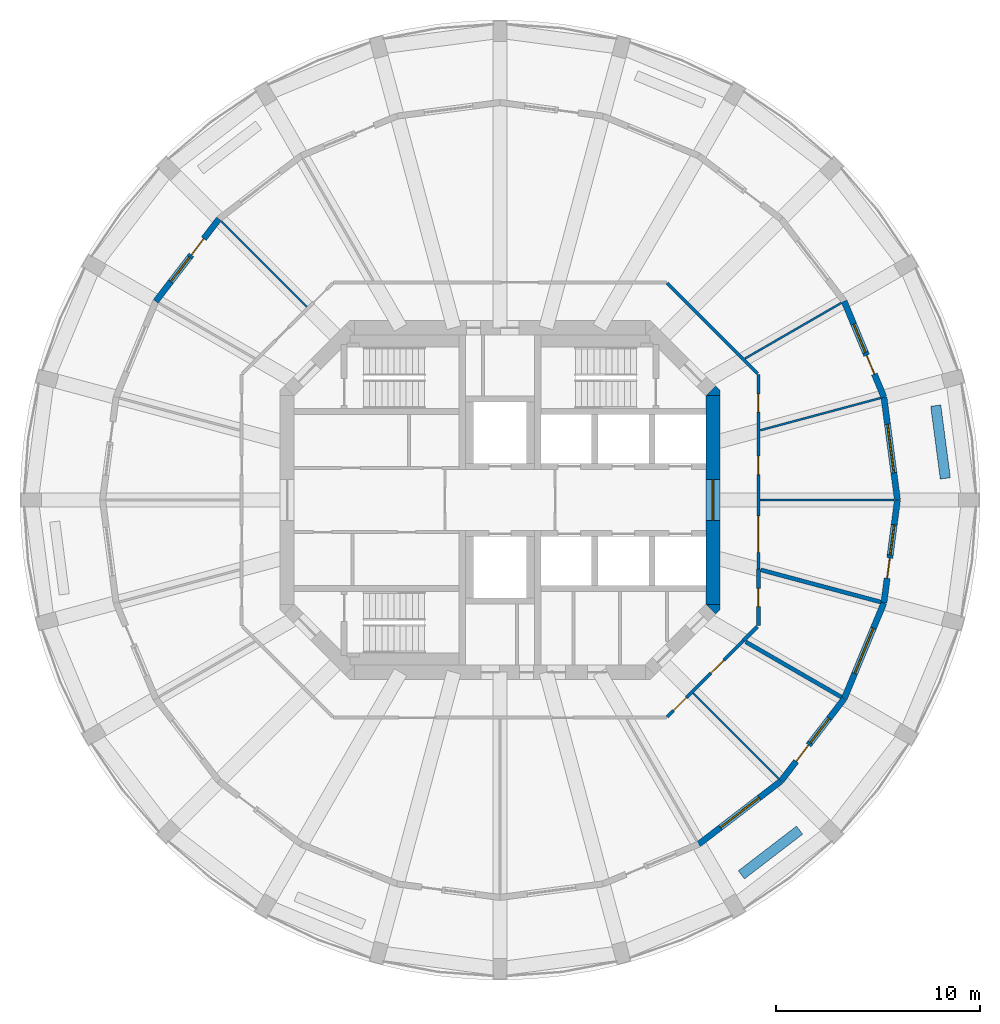
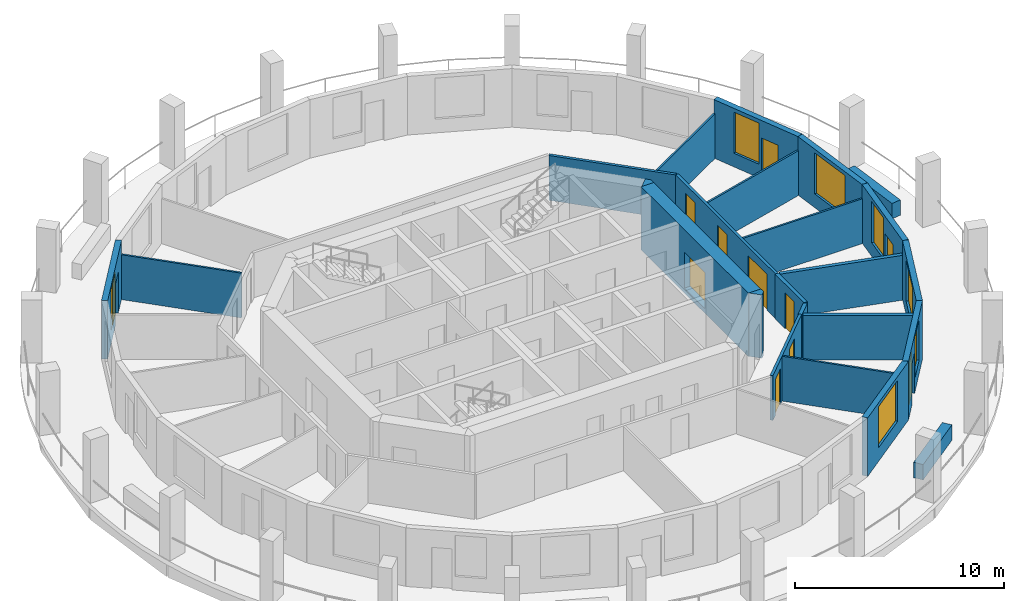
# One storey, part 5 of 8: 24 walls, 11 doors, 7 windows, 18 openings.
"""IFC4 building model written with IfcOpenShell, lengths in metres."""

from ifc_helpers import new_model, si_unit, direction, frame, frame_2d, origin, place, context, subcontext, project, spatial, polyline, rectangle, outline, extrude, material, layer, layer_set, type_object, element, fill, save


model = new_model("IFC4")

# Units and contexts
model_context = context("Model", 3, precision=1e-05, world=origin(), true_north=direction((0.0, 1.0)))
body_context = subcontext(model_context, "Body", "Model", "MODEL_VIEW")
ifc_project = project(units=[si_unit("LENGTHUNIT", "METRE"), si_unit("AREAUNIT", "SQUARE_METRE"), si_unit("VOLUMEUNIT", "CUBIC_METRE"), si_unit("PLANEANGLEUNIT", "RADIAN"), si_unit("MASSUNIT", "GRAM", prefix="KILO")], contexts=[model_context])

# Site, building, storey
site_placement = place(None, origin())
site = spatial("IfcSite", under=ifc_project, at=site_placement, CompositionType="ELEMENT")
building_placement = place(site_placement, origin())
building = spatial("IfcBuilding", under=site, at=building_placement, Name="Torre Triforio", CompositionType="ELEMENT")
storey_placement = place(building_placement, frame((0.0, 0.0, 200.199951171875)))
storey = spatial("IfcBuildingStorey", under=building, at=storey_placement, Name="L45", CompositionType="ELEMENT", Elevation=200.199951171875)

# Wall, opening, door
ifc_material_1 = material(Name="Concrete C50", Category="concrete")
ifc_layer_1 = layer(ifc_material_1, 0.699951171875)
ifc_layer_set_1 = layer_set([ifc_layer_1], Name="Concrete C50")
wall_type_1 = type_object("IfcWallType", Name="Core wall 700 mm C50 EI 120", PredefinedType="SHEAR", material=ifc_layer_set_1)
wall_1_placement = place(storey_placement, frame((10.449951171875, -5.1298828125, -0.280029296875), z_axis=(0.0, 0.0, 1.0), x_axis=(0.0, 1.0, 0.0)))
wall_1 = element("IfcWall", 1, at=wall_1_placement, inside=storey, type_object=wall_type_1, Name="Core wall", PredefinedType="SHEAR", context=body_context, shape_type="SweptSolid", body=[
    extrude(rectangle(XDim=10.259765625, YDim=0.699951171875, at=frame_2d((5.1298828125, 0.0))), origin(), (0.0, 0.0, 1.0), 3.7001953125),
])
opening_1_placement = place(wall_1_placement, frame((4.1298828125, 0.0, 0.280029296875)))
opening_1 = element("IfcOpeningElement", 2, at=opening_1_placement, cuts=wall_1, Name="Opening E-RING", PredefinedType="OPENING", context=body_context, shape_type="SweptSolid", body=[
    extrude(rectangle(XDim=2.0, YDim=2.10009765625, at=frame_2d((1.0, 1.050048828125))), frame((0.0, 0.35986328125, 0.0), z_axis=(0.0, -1.0, 0.0), x_axis=(1.0, 0.0, 0.0)), (0.0, 0.0, 1.0), 0.719970703125),
])
ifc_material_2 = material(Name="Hollow metal fire door leaf")
door_type_1 = type_object("IfcDoorType", Name="Lobby door 2000 x 2100 EI 60", OperationType="DOUBLE_DOOR_SINGLE_SWING", PredefinedType="DOOR", material=ifc_material_2)
door_1_placement = place(opening_1_placement, origin())
door_1 = element("IfcDoor", 3, at=door_1_placement, inside=storey, type_object=door_type_1, Name="Core door E-RING", OperationType="DOUBLE_DOOR_SINGLE_SWING", OverallHeight=2.10009765625, OverallWidth=2.0, PredefinedType="DOOR", context=body_context, shape_type="SweptSolid", body=[
    extrude(rectangle(XDim=2.0, YDim=2.10009765625, at=frame_2d((1.0, 1.050048828125))), frame((0.0, 0.02490234375, 0.0), z_axis=(0.0, -1.0, 0.0), x_axis=(1.0, 0.0, 0.0)), (0.0, 0.0, 1.0), 0.050048828125),
])
fill(opening_1, door_1)

# Walls
wall_2_placement = place(storey_placement, frame((0.0, 0.0, -0.280029296875)))
element("IfcWall", 4, at=wall_2_placement, inside=storey, type_object=wall_type_1, Name="Core wall", PredefinedType="SHEAR", context=body_context, shape_type="SweptSolid", body=[
    extrude(outline(polyline([(10.800048828125, -5.389892578125), (10.594970703125, -5.594970703125), (10.594970703125, -5.594970703125), (10.594970703125, -5.594970703125), (10.1298828125, -5.1298828125), (10.800048828125, -5.1298828125), (10.800048828125, -5.1298828125), (10.800048828125, -5.389892578125)])), origin(), (0.0, 0.0, 1.0), 3.7001953125),
])
wall_3_placement = place(storey_placement, frame((0.0, 0.0, -0.280029296875)))
element("IfcWall", 5, at=wall_3_placement, inside=storey, type_object=wall_type_1, Name="Core wall", PredefinedType="SHEAR", context=body_context, shape_type="SweptSolid", body=[
    extrude(outline(polyline([(10.800048828125, 5.389892578125), (10.800048828125, 5.1298828125), (10.800048828125, 5.1298828125), (10.1298828125, 5.1298828125), (10.594970703125, 5.594970703125), (10.594970703125, 5.594970703125), (10.594970703125, 5.594970703125), (10.800048828125, 5.389892578125)])), origin(), (0.0, 0.0, 1.0), 3.7001953125),
])

# Wall, openings, doors
ifc_material_3 = material(Name="Plasterboard on metal studs")
ifc_layer_2 = layer(ifc_material_3, 0.14990234375)
ifc_layer_set_2 = layer_set([ifc_layer_2], Name="Plasterboard on metal studs")
wall_type_2 = type_object("IfcWallType", Name="Corridor and tenancy wall 150 mm EI 60", PredefinedType="PARTITIONING", material=ifc_layer_set_2)
wall_4_placement = place(storey_placement, frame((11.945068359375, -6.896484375, 0.0), z_axis=(0.0, 0.0, 1.0), x_axis=(-0.707106781187, -0.707106781187, 0.0)))
wall_4 = element("IfcWall", 6, at=wall_4_placement, inside=storey, type_object=wall_type_2, Name="Partition 2", PredefinedType="PARTITIONING", context=body_context, shape_type="SweptSolid", body=[
    extrude(rectangle(XDim=5.291259765625, YDim=0.14990234375, at=frame_2d((2.6455078125, 0.0))), origin(), (0.0, 0.0, 1.0), 2.6201171875),
])
opening_2_placement = place(wall_4_placement, frame((3.95556640625, 0.0, 0.0)))
opening_2 = element("IfcOpeningElement", 7, at=opening_2_placement, cuts=wall_4, Name="Opening O4-10", PredefinedType="OPENING", context=body_context, shape_type="SweptSolid", body=[
    extrude(rectangle(XDim=0.89990234375, YDim=2.10009765625, at=frame_2d((0.449951171875, 1.050048828125))), frame((0.0, 0.0849609375, 0.0), z_axis=(0.0, -1.0, 0.0), x_axis=(1.0, 0.0, 0.0)), (0.0, 0.0, 1.0), 0.169921875),
])
opening_3_placement = place(wall_4_placement, frame((1.35986328125, 0.0, 0.0)))
opening_3 = element("IfcOpeningElement", 8, at=opening_3_placement, cuts=wall_4, Name="Opening O4-11", PredefinedType="OPENING", context=body_context, shape_type="SweptSolid", body=[
    extrude(rectangle(XDim=0.89990234375, YDim=2.10009765625, at=frame_2d((0.449951171875, 1.050048828125))), frame((0.0, 0.0849609375, 0.0), z_axis=(0.0, -1.0, 0.0), x_axis=(1.0, 0.0, 0.0)), (0.0, 0.0, 1.0), 0.169921875),
])
ifc_material_4 = material(Name="Timber", Category="wood")
door_type_2 = type_object("IfcDoorType", Name="Door 900 x 2100 single leaf EI 30", OperationType="NOTDEFINED", PredefinedType="DOOR", material=ifc_material_4)
door_2_placement = place(opening_2_placement, origin())
door_2 = element("IfcDoor", 9, at=door_2_placement, inside=storey, type_object=door_type_2, Name="Door O4-10", OperationType="SINGLE_SWING_LEFT", OverallHeight=2.10009765625, OverallWidth=0.89990234375, PredefinedType="DOOR", context=body_context, shape_type="SweptSolid", body=[
    extrude(rectangle(XDim=0.89990234375, YDim=2.10009765625, at=frame_2d((0.449951171875, 1.050048828125))), frame((0.0, 0.02490234375, 0.0), z_axis=(0.0, -1.0, 0.0), x_axis=(1.0, 0.0, 0.0)), (0.0, 0.0, 1.0), 0.050048828125),
])
fill(opening_2, door_2)
door_3_placement = place(opening_3_placement, origin())
door_3 = element("IfcDoor", 10, at=door_3_placement, inside=storey, type_object=door_type_2, Name="Door O4-11", OperationType="SINGLE_SWING_LEFT", OverallHeight=2.10009765625, OverallWidth=0.89990234375, PredefinedType="DOOR", context=body_context, shape_type="SweptSolid", body=[
    extrude(rectangle(XDim=0.89990234375, YDim=2.10009765625, at=frame_2d((0.449951171875, 1.050048828125))), frame((0.0, 0.02490234375, 0.0), z_axis=(0.0, -1.0, 0.0), x_axis=(1.0, 0.0, 0.0)), (0.0, 0.0, 1.0), 0.050048828125),
])
fill(opening_3, door_3)

# Wall
wall_5_placement = place(storey_placement, frame((8.20361328125, 10.637939453125, 0.0), z_axis=(0.0, 0.0, 1.0), x_axis=(0.707106781187, -0.707106781187, 0.0)))
element("IfcWall", 11, at=wall_5_placement, inside=storey, type_object=wall_type_2, Name="Partition 8", PredefinedType="PARTITIONING", context=body_context, shape_type="SweptSolid", body=[
    extrude(rectangle(XDim=6.27099609375, YDim=0.14990234375, at=frame_2d((3.135498046875, 0.0))), origin(), (0.0, 0.0, 1.0), 2.6201171875),
])

# Wall, openings, doors
wall_6_placement = place(storey_placement, frame((12.675048828125, 6.16650390625, 0.0), z_axis=(0.0, 0.0, 1.0), x_axis=(0.0, -1.0, 0.0)))
wall_6 = element("IfcWall", 12, at=wall_6_placement, inside=storey, type_object=wall_type_2, Name="Partition 9", PredefinedType="PARTITIONING", context=body_context, shape_type="SweptSolid", body=[
    extrude(rectangle(XDim=9.562744140625, YDim=0.14990234375, at=frame_2d((4.78125, 0.0))), origin(), (0.0, 0.0, 1.0), 2.6201171875),
])
opening_4_placement = place(wall_6_placement, frame((6.939697265625, 0.0, 0.0)))
opening_4 = element("IfcOpeningElement", 13, at=opening_4_placement, cuts=wall_6, Name="Opening O4-13", PredefinedType="OPENING", context=body_context, shape_type="SweptSolid", body=[
    extrude(rectangle(XDim=1.800048828125, YDim=2.10009765625, at=frame_2d((0.89990234375, 1.050048828125))), frame((0.0, 0.0849609375, 0.0), z_axis=(0.0, -1.0, 0.0), x_axis=(1.0, 0.0, 0.0)), (0.0, 0.0, 1.0), 0.169921875),
])
opening_5_placement = place(wall_6_placement, frame((4.017578125, 0.0, 0.0)))
opening_5 = element("IfcOpeningElement", 14, at=opening_5_placement, cuts=wall_6, Name="Opening O4-14", PredefinedType="OPENING", context=body_context, shape_type="SweptSolid", body=[
    extrude(rectangle(XDim=0.89990234375, YDim=2.10009765625, at=frame_2d((0.449951171875, 1.050048828125))), frame((0.0, 0.0849609375, 0.0), z_axis=(0.0, -1.0, 0.0), x_axis=(1.0, 0.0, 0.0)), (0.0, 0.0, 1.0), 0.169921875),
])
opening_6_placement = place(wall_6_placement, frame((0.960205078125, 0.0, 0.0)))
opening_6 = element("IfcOpeningElement", 15, at=opening_6_placement, cuts=wall_6, Name="Opening O4-15", PredefinedType="OPENING", context=body_context, shape_type="SweptSolid", body=[
    extrude(rectangle(XDim=0.89990234375, YDim=2.10009765625, at=frame_2d((0.449951171875, 1.050048828125))), frame((0.0, 0.0849609375, 0.0), z_axis=(0.0, -1.0, 0.0), x_axis=(1.0, 0.0, 0.0)), (0.0, 0.0, 1.0), 0.169921875),
])
door_type_3 = type_object("IfcDoorType", Name="Door 1800 x 2100 double leaf EI 30", OperationType="DOUBLE_DOOR_SINGLE_SWING", PredefinedType="DOOR", material=ifc_material_4)
door_4_placement = place(opening_4_placement, origin())
door_4 = element("IfcDoor", 16, at=door_4_placement, inside=storey, type_object=door_type_3, Name="Door O4-13", OperationType="DOUBLE_DOOR_SINGLE_SWING", OverallHeight=2.10009765625, OverallWidth=1.800048828125, PredefinedType="DOOR", context=body_context, shape_type="SweptSolid", body=[
    extrude(rectangle(XDim=1.800048828125, YDim=2.10009765625, at=frame_2d((0.89990234375, 1.050048828125))), frame((0.0, 0.02490234375, 0.0), z_axis=(0.0, -1.0, 0.0), x_axis=(1.0, 0.0, 0.0)), (0.0, 0.0, 1.0), 0.050048828125),
])
fill(opening_4, door_4)
door_5_placement = place(opening_5_placement, origin())
door_5 = element("IfcDoor", 17, at=door_5_placement, inside=storey, type_object=door_type_2, Name="Door O4-14", OperationType="SINGLE_SWING_LEFT", OverallHeight=2.10009765625, OverallWidth=0.89990234375, PredefinedType="DOOR", context=body_context, shape_type="SweptSolid", body=[
    extrude(rectangle(XDim=0.89990234375, YDim=2.10009765625, at=frame_2d((0.449951171875, 1.050048828125))), frame((0.0, 0.02490234375, 0.0), z_axis=(0.0, -1.0, 0.0), x_axis=(1.0, 0.0, 0.0)), (0.0, 0.0, 1.0), 0.050048828125),
])
fill(opening_5, door_5)
door_6_placement = place(opening_6_placement, origin())
door_6 = element("IfcDoor", 18, at=door_6_placement, inside=storey, type_object=door_type_2, Name="Door O4-15", OperationType="SINGLE_SWING_LEFT", OverallHeight=2.10009765625, OverallWidth=0.89990234375, PredefinedType="DOOR", context=body_context, shape_type="SweptSolid", body=[
    extrude(rectangle(XDim=0.89990234375, YDim=2.10009765625, at=frame_2d((0.449951171875, 1.050048828125))), frame((0.0, 0.02490234375, 0.0), z_axis=(0.0, -1.0, 0.0), x_axis=(1.0, 0.0, 0.0)), (0.0, 0.0, 1.0), 0.050048828125),
])
fill(opening_6, door_6)

# Walls
ifc_layer_3 = layer(ifc_material_3, 0.10009765625)
ifc_layer_set_3 = layer_set([ifc_layer_3], Name="Plasterboard on metal studs")
wall_type_3 = type_object("IfcWallType", Name="Partition 100 mm board on metal studs", PredefinedType="PARTITIONING", material=ifc_layer_set_3)
wall_7_placement = place(storey_placement, frame((12.75, 0.0, 0.0), z_axis=(0.0, 0.0, 1.0), x_axis=(1.0, 0.0, 0.0)))
element("IfcWall", 19, at=wall_7_placement, inside=storey, type_object=wall_type_3, Name="Partition 11", PredefinedType="PARTITIONING", context=body_context, shape_type="SweptSolid", body=[
    extrude(rectangle(XDim=6.586669921875, YDim=0.10009765625, at=frame_2d((3.29345703125, 0.0))), origin(), (0.0, 0.0, 1.0), 2.6201171875),
])
wall_8_placement = place(storey_placement, frame((12.764404296875, 3.420166015625, 0.0), z_axis=(0.0, 0.0, 1.0), x_axis=(0.965925800266, 0.258819142221, 0.0)))
element("IfcWall", 20, at=wall_8_placement, inside=storey, type_object=wall_type_3, Name="Partition 12", PredefinedType="PARTITIONING", context=body_context, shape_type="SweptSolid", body=[
    extrude(rectangle(XDim=6.121826171875, YDim=0.10009765625, at=frame_2d((3.06103515625, 0.0))), origin(), (0.0, 0.0, 1.0), 2.6201171875),
])
wall_9_placement = place(storey_placement, frame((12.025146484375, 6.94287109375, 0.0), z_axis=(0.0, 0.0, 1.0), x_axis=(0.866029712004, 0.499992537871, 0.0)))
element("IfcWall", 21, at=wall_9_placement, inside=storey, type_object=wall_type_3, Name="Partition 13", PredefinedType="PARTITIONING", context=body_context, shape_type="SweptSolid", body=[
    extrude(rectangle(XDim=5.451171875, YDim=0.10009765625, at=frame_2d((2.7255859375, 0.0))), origin(), (0.0, 0.0, 1.0), 2.6201171875),
])
for number, where, z_axis, x_axis, name in (
    (22, (-9.473876953125, 9.473876953125, 0.0), (0.0, 0.0, 1.0), (-0.707106781187, 0.707106781187, 0.0), "Partition 15"),
    (23, (9.473876953125, -9.473876953125, 0.0), (0.0, 0.0, 1.0), (0.707106781187, -0.707106781187, 0.0), "Partition 23"),
):
    element("IfcWall", number, at=place(storey_placement, frame(where, z_axis=z_axis, x_axis=x_axis)), inside=storey, type_object=wall_type_3, Name=name, PredefinedType="PARTITIONING", context=body_context, shape_type="SweptSolid", body=[
        extrude(rectangle(XDim=5.9384765625, YDim=0.10009765625, at=frame_2d((2.96923828125, 0.0))), origin(), (0.0, 0.0, 1.0), 2.6201171875),
    ])
ifc_material_5 = material(Name="Masonry block", Category="masonry")
ifc_layer_4 = layer(ifc_material_5, 0.199951171875)
ifc_layer_set_4 = layer_set([ifc_layer_4], Name="Masonry block")
wall_type_4 = type_object("IfcWallType", Name="Plant room wall 200 mm block EI 120", PredefinedType="PARTITIONING", material=ifc_layer_set_4)
wall_10_placement = place(storey_placement, frame((12.62548828125, -6.216064453125, 0.0), z_axis=(0.0, 0.0, 1.0), x_axis=(-0.707106781187, -0.707106781187, 0.0)))
element("IfcWall", 24, at=wall_10_placement, inside=storey, type_object=wall_type_4, Name="Partition 1", PredefinedType="PARTITIONING", context=body_context, shape_type="SweptSolid", body=[
    extrude(rectangle(XDim=0.962158203125, YDim=0.199951171875, at=frame_2d((0.48095703125, 0.0))), origin(), (0.0, 0.0, 1.0), 2.6201171875),
])

# Wall, opening, door
wall_11_placement = place(storey_placement, frame((12.675048828125, -3.396240234375, 0.0), z_axis=(0.0, 0.0, 1.0), x_axis=(0.0, -1.0, 0.0)))
wall_11 = element("IfcWall", 25, at=wall_11_placement, inside=storey, type_object=wall_type_4, Name="Partition 10", PredefinedType="PARTITIONING", context=body_context, shape_type="SweptSolid", body=[
    extrude(rectangle(XDim=2.770263671875, YDim=0.199951171875, at=frame_2d((1.38525390625, 0.0))), origin(), (0.0, 0.0, 1.0), 2.6201171875),
])
opening_7_placement = place(wall_11_placement, frame((0.935302734375, 0.0, 0.0)))
opening_7 = element("IfcOpeningElement", 26, at=opening_7_placement, cuts=wall_11, Name="Opening O4-12", PredefinedType="OPENING", context=body_context, shape_type="SweptSolid", body=[
    extrude(rectangle(XDim=0.89990234375, YDim=2.10009765625, at=frame_2d((0.449951171875, 1.050048828125))), frame((0.0, 0.10986328125, 0.0), z_axis=(0.0, -1.0, 0.0), x_axis=(1.0, 0.0, 0.0)), (0.0, 0.0, 1.0), 0.219970703125),
])
door_type_4 = type_object("IfcDoorType", Name="Door 900 x 2100 single leaf EI 60", OperationType="NOTDEFINED", PredefinedType="DOOR", material=ifc_material_2)
door_7_placement = place(opening_7_placement, origin())
door_7 = element("IfcDoor", 27, at=door_7_placement, inside=storey, type_object=door_type_4, Name="Door O4-12", OperationType="SINGLE_SWING_LEFT", OverallHeight=2.10009765625, OverallWidth=0.89990234375, PredefinedType="DOOR", context=body_context, shape_type="SweptSolid", body=[
    extrude(rectangle(XDim=0.89990234375, YDim=2.10009765625, at=frame_2d((0.449951171875, 1.050048828125))), frame((0.0, 0.02490234375, 0.0), z_axis=(0.0, -1.0, 0.0), x_axis=(1.0, 0.0, 0.0)), (0.0, 0.0, 1.0), 0.050048828125),
])
fill(opening_7, door_7)

# Walls
wall_12_placement = place(storey_placement, frame((12.0576171875, -6.96142578125, 0.0), z_axis=(0.0, 0.0, 1.0), x_axis=(0.86601436245, -0.500019123664, 0.0)))
element("IfcWall", 28, at=wall_12_placement, inside=storey, type_object=wall_type_4, Name="Partition 24", PredefinedType="PARTITIONING", context=body_context, shape_type="SweptSolid", body=[
    extrude(rectangle(XDim=5.413818359375, YDim=0.199951171875, at=frame_2d((2.70703125, 0.0))), origin(), (0.0, 0.0, 1.0), 2.6201171875),
])
wall_13_placement = place(storey_placement, frame((12.800537109375, -3.429931640625, 0.0), z_axis=(0.0, 0.0, 1.0), x_axis=(0.965929245953, -0.258806282407, 0.0)))
element("IfcWall", 29, at=wall_13_placement, inside=storey, type_object=wall_type_4, Name="Partition 25", PredefinedType="PARTITIONING", context=body_context, shape_type="SweptSolid", body=[
    extrude(rectangle(XDim=6.08447265625, YDim=0.199951171875, at=frame_2d((3.042236328125, 0.0))), origin(), (0.0, 0.0, 1.0), 2.6201171875),
])
ifc_material_6 = material(Name="Limestone cladding", Category="masonry")
ifc_layer_5 = layer(ifc_material_6, 0.10009765625)
ifc_material_7 = material(Name="Concrete C40", Category="concrete")
ifc_layer_6 = layer(ifc_material_7, 0.39990234375)
ifc_layer_set_5 = layer_set([ifc_layer_5, ifc_layer_6], Name="Limestone cladding / Concrete C40")
wall_type_5 = type_object("IfcWallType", Name="Planter wall 500", PredefinedType="PARAPET", material=ifc_layer_set_5)
wall_14_placement = place(storey_placement, frame((21.848388671875, 1.060791015625, 0.0), z_axis=(0.0, 0.0, 1.0), x_axis=(-0.130475563272, 0.991451525486, 0.0)))
element("IfcWall", 30, at=wall_14_placement, inside=storey, type_object=wall_type_5, Name="Planter L45 bay 01", PredefinedType="PARAPET", context=body_context, shape_type="SweptSolid", body=[
    extrude(rectangle(XDim=3.60009765625, YDim=0.5, at=frame_2d((1.800048828125, 0.0))), origin(), (0.0, 0.0, 1.0), 0.900146484375),
])
wall_15_placement = place(storey_placement, frame((11.843017578125, -18.390869140625, 0.0), z_axis=(0.0, 0.0, 1.0), x_axis=(0.793326845617, 0.608795955984, 0.0)))
element("IfcWall", 31, at=wall_15_placement, inside=storey, type_object=wall_type_5, Name="Planter L45 bay 21", PredefinedType="PARAPET", context=body_context, shape_type="SweptSolid", body=[
    extrude(rectangle(XDim=3.599853515625, YDim=0.5, at=frame_2d((1.7998046875, 0.0))), origin(), (0.0, 0.0, 1.0), 0.900146484375),
])

# Wall, opening, window
ifc_layer_7 = layer(ifc_material_6, 0.10009765625)
ifc_layer_8 = layer(ifc_material_7, 0.199951171875)
ifc_layer_set_6 = layer_set([ifc_layer_7, ifc_layer_8], Name="Limestone cladding / Concrete C40")
wall_type_6 = type_object("IfcWallType", Name="Stone-faced composite wall 300", PredefinedType="STANDARD", material=ifc_layer_set_6)
wall_16_placement = place(storey_placement, frame((19.5, 0.0, 0.0), z_axis=(0.0, 0.0, 1.0), x_axis=(-0.130495451964, 0.99144890792, 0.0)))
wall_16 = element("IfcWall", 32, at=wall_16_placement, inside=storey, type_object=wall_type_6, Name="External wall L45 bay 01", PredefinedType="STANDARD", context=body_context, shape_type="SweptSolid", body=[
    extrude(rectangle(XDim=5.090576171875, YDim=0.300048828125, at=frame_2d((2.54541015625, 0.0))), origin(), (0.0, 0.0, 1.0), 3.420166015625),
])
opening_8_placement = place(wall_16_placement, frame((1.34521484375, 0.0, 0.800048828125)))
opening_8 = element("IfcOpeningElement", 33, at=opening_8_placement, cuts=wall_16, Name="Opening O4-W01", PredefinedType="OPENING", context=body_context, shape_type="SweptSolid", body=[
    extrude(rectangle(XDim=2.39990234375, YDim=2.39990234375, at=frame_2d((1.199951171875, 1.199951171875))), frame((0.0, 0.159912109375, 0.0), z_axis=(0.0, -1.0, 0.0), x_axis=(1.0, 0.0, 0.0)), (0.0, 0.0, 1.0), 0.320068359375),
])
ifc_material_8 = material(Name="Aluminium frame with clear double glazing", Category="aluminium")
window_type_1 = type_object("IfcWindowType", Name="Punched window 2400 x 2400", PartitioningType="DOUBLE_PANEL_VERTICAL", PredefinedType="WINDOW", material=ifc_material_8)
window_1_placement = place(opening_8_placement, origin())
window_1 = element("IfcWindow", 34, at=window_1_placement, inside=storey, type_object=window_type_1, Name="Window EWN4 L45 bay 01", OverallHeight=2.39990234375, OverallWidth=2.39990234375, PartitioningType="SINGLE_PANEL", PredefinedType="WINDOW", context=body_context, shape_type="SweptSolid", body=[
    extrude(rectangle(XDim=2.39990234375, YDim=2.39990234375, at=frame_2d((1.199951171875, 1.199951171875))), frame((0.0, 0.030029296875, 0.0), z_axis=(0.0, -1.0, 0.0), x_axis=(1.0, 0.0, 0.0)), (0.0, 0.0, 1.0), 0.06005859375),
])
fill(opening_8, window_1)

# Wall, openings, door, window
wall_17_placement = place(storey_placement, frame((18.835693359375, 5.047119140625, 0.0), z_axis=(0.0, 0.0, 1.0), x_axis=(-0.382724538613, 0.923862504675, 0.0)))
wall_17 = element("IfcWall", 35, at=wall_17_placement, inside=storey, type_object=wall_type_6, Name="External wall L45 bay 02", PredefinedType="STANDARD", context=body_context, shape_type="SweptSolid", body=[
    extrude(rectangle(XDim=5.090576171875, YDim=0.300048828125, at=frame_2d((2.54541015625, 0.0))), origin(), (0.0, 0.0, 1.0), 3.420166015625),
])
opening_9_placement = place(wall_17_placement, frame((1.22021484375, 0.0, 0.0)))
opening_9 = element("IfcOpeningElement", 36, at=opening_9_placement, cuts=wall_17, Name="Opening O4-D02", PredefinedType="OPENING", context=body_context, shape_type="SweptSolid", body=[
    extrude(rectangle(XDim=1.0, YDim=2.39990234375, at=frame_2d((0.5, 1.199951171875))), frame((0.0, 0.159912109375, 0.0), z_axis=(0.0, -1.0, 0.0), x_axis=(1.0, 0.0, 0.0)), (0.0, 0.0, 1.0), 0.320068359375),
])
opening_10_placement = place(wall_17_placement, frame((2.370361328125, 0.0, 0.800048828125)))
opening_10 = element("IfcOpeningElement", 37, at=opening_10_placement, cuts=wall_17, Name="Opening O4-W02A", PredefinedType="OPENING", context=body_context, shape_type="SweptSolid", body=[
    extrude(rectangle(XDim=1.5, YDim=2.39990234375, at=frame_2d((0.75, 1.199951171875))), frame((0.0, 0.159912109375, 0.0), z_axis=(0.0, -1.0, 0.0), x_axis=(1.0, 0.0, 0.0)), (0.0, 0.0, 1.0), 0.320068359375),
])
door_type_5 = type_object("IfcDoorType", Name="Loggia door 1000 x 2400", OperationType="NOTDEFINED", PredefinedType="DOOR", material=ifc_material_8)
door_8_placement = place(opening_9_placement, origin())
door_8 = element("IfcDoor", 38, at=door_8_placement, inside=storey, type_object=door_type_5, Name="Loggia door L45 bay 02", OperationType="SINGLE_SWING_LEFT", OverallHeight=2.39990234375, OverallWidth=1.0, PredefinedType="DOOR", context=body_context, shape_type="SweptSolid", body=[
    extrude(rectangle(XDim=1.0, YDim=2.39990234375, at=frame_2d((0.5, 1.199951171875))), frame((0.0, 0.02490234375, 0.0), z_axis=(0.0, -1.0, 0.0), x_axis=(1.0, 0.0, 0.0)), (0.0, 0.0, 1.0), 0.050048828125),
])
fill(opening_9, door_8)
window_type_2 = type_object("IfcWindowType", Name="Side window 1500 x 2400", PartitioningType="SINGLE_PANEL", PredefinedType="WINDOW", material=ifc_material_8)
window_2_placement = place(opening_10_placement, origin())
window_2 = element("IfcWindow", 39, at=window_2_placement, inside=storey, type_object=window_type_2, Name="Side window EWN14 L45 bay 02", OverallHeight=2.39990234375, OverallWidth=1.5, PartitioningType="SINGLE_PANEL", PredefinedType="WINDOW", context=body_context, shape_type="SweptSolid", body=[
    extrude(rectangle(XDim=1.5, YDim=2.39990234375, at=frame_2d((0.75, 1.199951171875))), frame((0.0, 0.030029296875, 0.0), z_axis=(0.0, -1.0, 0.0), x_axis=(1.0, 0.0, 0.0)), (0.0, 0.0, 1.0), 0.06005859375),
])
fill(opening_10, window_2)

wall_18_placement = place(storey_placement, frame((-13.78857421875, 13.78857421875, 0.0), z_axis=(0.0, 0.0, 1.0), x_axis=(-0.608757714995, -0.79335619014, 0.0)))
wall_18 = element("IfcWall", 40, at=wall_18_placement, inside=storey, type_object=wall_type_6, Name="External wall L45 bay 10", PredefinedType="STANDARD", context=body_context, shape_type="SweptSolid", body=[
    extrude(rectangle(XDim=5.090576171875, YDim=0.300048828125, at=frame_2d((2.54541015625, 0.0))), origin(), (0.0, 0.0, 1.0), 3.420166015625),
])
opening_11_placement = place(wall_18_placement, frame((1.22021484375, 0.0, 0.0)))
opening_11 = element("IfcOpeningElement", 41, at=opening_11_placement, cuts=wall_18, Name="Opening O4-D10", PredefinedType="OPENING", context=body_context, shape_type="SweptSolid", body=[
    extrude(rectangle(XDim=1.0, YDim=2.39990234375, at=frame_2d((0.5, 1.199951171875))), frame((0.0, 0.159912109375, 0.0), z_axis=(0.0, -1.0, 0.0), x_axis=(1.0, 0.0, 0.0)), (0.0, 0.0, 1.0), 0.320068359375),
])
opening_12_placement = place(wall_18_placement, frame((2.370361328125, 0.0, 0.800048828125)))
opening_12 = element("IfcOpeningElement", 42, at=opening_12_placement, cuts=wall_18, Name="Opening O4-W10A", PredefinedType="OPENING", context=body_context, shape_type="SweptSolid", body=[
    extrude(rectangle(XDim=1.5, YDim=2.39990234375, at=frame_2d((0.75, 1.199951171875))), frame((0.0, 0.159912109375, 0.0), z_axis=(0.0, -1.0, 0.0), x_axis=(1.0, 0.0, 0.0)), (0.0, 0.0, 1.0), 0.320068359375),
])
door_9_placement = place(opening_11_placement, origin())
door_9 = element("IfcDoor", 43, at=door_9_placement, inside=storey, type_object=door_type_5, Name="Loggia door L45 bay 10", OperationType="SINGLE_SWING_LEFT", OverallHeight=2.39990234375, OverallWidth=1.0, PredefinedType="DOOR", context=body_context, shape_type="SweptSolid", body=[
    extrude(rectangle(XDim=1.0, YDim=2.39990234375, at=frame_2d((0.5, 1.199951171875))), frame((0.0, 0.02490234375, 0.0), z_axis=(0.0, -1.0, 0.0), x_axis=(1.0, 0.0, 0.0)), (0.0, 0.0, 1.0), 0.050048828125),
])
fill(opening_11, door_9)
window_3_placement = place(opening_12_placement, origin())
window_3 = element("IfcWindow", 44, at=window_3_placement, inside=storey, type_object=window_type_2, Name="Side window EWN14 L45 bay 10", OverallHeight=2.39990234375, OverallWidth=1.5, PartitioningType="SINGLE_PANEL", PredefinedType="WINDOW", context=body_context, shape_type="SweptSolid", body=[
    extrude(rectangle(XDim=1.5, YDim=2.39990234375, at=frame_2d((0.75, 1.199951171875))), frame((0.0, 0.030029296875, 0.0), z_axis=(0.0, -1.0, 0.0), x_axis=(1.0, 0.0, 0.0)), (0.0, 0.0, 1.0), 0.06005859375),
])
fill(opening_12, window_3)

# Wall, opening, window
wall_19_placement = place(storey_placement, frame((9.75, -16.887451171875, 0.0), z_axis=(0.0, 0.0, 1.0), x_axis=(0.79335619014, 0.608757714995, 0.0)))
wall_19 = element("IfcWall", 45, at=wall_19_placement, inside=storey, type_object=wall_type_6, Name="External wall L45 bay 21", PredefinedType="STANDARD", context=body_context, shape_type="SweptSolid", body=[
    extrude(rectangle(XDim=5.090576171875, YDim=0.300048828125, at=frame_2d((2.54541015625, 0.0))), origin(), (0.0, 0.0, 1.0), 3.420166015625),
])
opening_13_placement = place(wall_19_placement, frame((1.34521484375, 0.0, 0.800048828125)))
opening_13 = element("IfcOpeningElement", 46, at=opening_13_placement, cuts=wall_19, Name="Opening O4-W21", PredefinedType="OPENING", context=body_context, shape_type="SweptSolid", body=[
    extrude(rectangle(XDim=2.39990234375, YDim=2.39990234375, at=frame_2d((1.199951171875, 1.199951171875))), frame((0.0, 0.159912109375, 0.0), z_axis=(0.0, -1.0, 0.0), x_axis=(1.0, 0.0, 0.0)), (0.0, 0.0, 1.0), 0.320068359375),
])
window_4_placement = place(opening_13_placement, origin())
window_4 = element("IfcWindow", 47, at=window_4_placement, inside=storey, type_object=window_type_1, Name="Window EWN4 L45 bay 21", OverallHeight=2.39990234375, OverallWidth=2.39990234375, PartitioningType="SINGLE_PANEL", PredefinedType="WINDOW", context=body_context, shape_type="SweptSolid", body=[
    extrude(rectangle(XDim=2.39990234375, YDim=2.39990234375, at=frame_2d((1.199951171875, 1.199951171875))), frame((0.0, 0.030029296875, 0.0), z_axis=(0.0, -1.0, 0.0), x_axis=(1.0, 0.0, 0.0)), (0.0, 0.0, 1.0), 0.06005859375),
])
fill(opening_13, window_4)

# Wall, openings, door, window
wall_20_placement = place(storey_placement, frame((13.78857421875, -13.78857421875, 0.0), z_axis=(0.0, 0.0, 1.0), x_axis=(0.608757714995, 0.79335619014, 0.0)))
wall_20 = element("IfcWall", 48, at=wall_20_placement, inside=storey, type_object=wall_type_6, Name="External wall L45 bay 22", PredefinedType="STANDARD", context=body_context, shape_type="SweptSolid", body=[
    extrude(rectangle(XDim=5.090576171875, YDim=0.300048828125, at=frame_2d((2.54541015625, 0.0))), origin(), (0.0, 0.0, 1.0), 3.420166015625),
])
opening_14_placement = place(wall_20_placement, frame((1.22021484375, 0.0, 0.0)))
opening_14 = element("IfcOpeningElement", 49, at=opening_14_placement, cuts=wall_20, Name="Opening O4-D22", PredefinedType="OPENING", context=body_context, shape_type="SweptSolid", body=[
    extrude(rectangle(XDim=1.0, YDim=2.39990234375, at=frame_2d((0.5, 1.199951171875))), frame((0.0, 0.159912109375, 0.0), z_axis=(0.0, -1.0, 0.0), x_axis=(1.0, 0.0, 0.0)), (0.0, 0.0, 1.0), 0.320068359375),
])
opening_15_placement = place(wall_20_placement, frame((2.370361328125, 0.0, 0.800048828125)))
opening_15 = element("IfcOpeningElement", 50, at=opening_15_placement, cuts=wall_20, Name="Opening O4-W22A", PredefinedType="OPENING", context=body_context, shape_type="SweptSolid", body=[
    extrude(rectangle(XDim=1.5, YDim=2.39990234375, at=frame_2d((0.75, 1.199951171875))), frame((0.0, 0.159912109375, 0.0), z_axis=(0.0, -1.0, 0.0), x_axis=(1.0, 0.0, 0.0)), (0.0, 0.0, 1.0), 0.320068359375),
])
door_10_placement = place(opening_14_placement, origin())
door_10 = element("IfcDoor", 51, at=door_10_placement, inside=storey, type_object=door_type_5, Name="Loggia door L45 bay 22", OperationType="SINGLE_SWING_LEFT", OverallHeight=2.39990234375, OverallWidth=1.0, PredefinedType="DOOR", context=body_context, shape_type="SweptSolid", body=[
    extrude(rectangle(XDim=1.0, YDim=2.39990234375, at=frame_2d((0.5, 1.199951171875))), frame((0.0, 0.02490234375, 0.0), z_axis=(0.0, -1.0, 0.0), x_axis=(1.0, 0.0, 0.0)), (0.0, 0.0, 1.0), 0.050048828125),
])
fill(opening_14, door_10)
window_5_placement = place(opening_15_placement, origin())
window_5 = element("IfcWindow", 52, at=window_5_placement, inside=storey, type_object=window_type_2, Name="Side window EWN14 L45 bay 22", OverallHeight=2.39990234375, OverallWidth=1.5, PartitioningType="SINGLE_PANEL", PredefinedType="WINDOW", context=body_context, shape_type="SweptSolid", body=[
    extrude(rectangle(XDim=1.5, YDim=2.39990234375, at=frame_2d((0.75, 1.199951171875))), frame((0.0, 0.030029296875, 0.0), z_axis=(0.0, -1.0, 0.0), x_axis=(1.0, 0.0, 0.0)), (0.0, 0.0, 1.0), 0.06005859375),
])
fill(opening_15, window_5)

# Wall, opening, window
wall_21_placement = place(storey_placement, frame((16.887451171875, -9.75, 0.0), z_axis=(0.0, 0.0, 1.0), x_axis=(0.382724538613, 0.923862504675, 0.0)))
wall_21 = element("IfcWall", 53, at=wall_21_placement, inside=storey, type_object=wall_type_6, Name="External wall L45 bay 23", PredefinedType="STANDARD", context=body_context, shape_type="SweptSolid", body=[
    extrude(rectangle(XDim=5.090576171875, YDim=0.300048828125, at=frame_2d((2.54541015625, 0.0))), origin(), (0.0, 0.0, 1.0), 3.420166015625),
])
opening_16_placement = place(wall_21_placement, frame((1.34521484375, 0.0, 0.800048828125)))
opening_16 = element("IfcOpeningElement", 54, at=opening_16_placement, cuts=wall_21, Name="Opening O4-W23", PredefinedType="OPENING", context=body_context, shape_type="SweptSolid", body=[
    extrude(rectangle(XDim=2.39990234375, YDim=2.39990234375, at=frame_2d((1.199951171875, 1.199951171875))), frame((0.0, 0.159912109375, 0.0), z_axis=(0.0, -1.0, 0.0), x_axis=(1.0, 0.0, 0.0)), (0.0, 0.0, 1.0), 0.320068359375),
])
window_6_placement = place(opening_16_placement, origin())
window_6 = element("IfcWindow", 55, at=window_6_placement, inside=storey, type_object=window_type_1, Name="Window EWN4 L45 bay 23", OverallHeight=2.39990234375, OverallWidth=2.39990234375, PartitioningType="SINGLE_PANEL", PredefinedType="WINDOW", context=body_context, shape_type="SweptSolid", body=[
    extrude(rectangle(XDim=2.39990234375, YDim=2.39990234375, at=frame_2d((1.199951171875, 1.199951171875))), frame((0.0, 0.030029296875, 0.0), z_axis=(0.0, -1.0, 0.0), x_axis=(1.0, 0.0, 0.0)), (0.0, 0.0, 1.0), 0.06005859375),
])
fill(opening_16, window_6)

# Wall, openings, door, window
wall_22_placement = place(storey_placement, frame((18.835693359375, -5.047119140625, 0.0), z_axis=(0.0, 0.0, 1.0), x_axis=(0.130495451964, 0.99144890792, 0.0)))
wall_22 = element("IfcWall", 56, at=wall_22_placement, inside=storey, type_object=wall_type_6, Name="External wall L45 bay 24", PredefinedType="STANDARD", context=body_context, shape_type="SweptSolid", body=[
    extrude(rectangle(XDim=5.090576171875, YDim=0.300048828125, at=frame_2d((2.54541015625, 0.0))), origin(), (0.0, 0.0, 1.0), 3.420166015625),
])
opening_17_placement = place(wall_22_placement, frame((1.22021484375, 0.0, 0.0)))
opening_17 = element("IfcOpeningElement", 57, at=opening_17_placement, cuts=wall_22, Name="Opening O4-D24", PredefinedType="OPENING", context=body_context, shape_type="SweptSolid", body=[
    extrude(rectangle(XDim=1.0, YDim=2.39990234375, at=frame_2d((0.5, 1.199951171875))), frame((0.0, 0.159912109375, 0.0), z_axis=(0.0, -1.0, 0.0), x_axis=(1.0, 0.0, 0.0)), (0.0, 0.0, 1.0), 0.320068359375),
])
opening_18_placement = place(wall_22_placement, frame((2.370361328125, 0.0, 0.800048828125)))
opening_18 = element("IfcOpeningElement", 58, at=opening_18_placement, cuts=wall_22, Name="Opening O4-W24A", PredefinedType="OPENING", context=body_context, shape_type="SweptSolid", body=[
    extrude(rectangle(XDim=1.5, YDim=2.39990234375, at=frame_2d((0.75, 1.199951171875))), frame((0.0, 0.159912109375, 0.0), z_axis=(0.0, -1.0, 0.0), x_axis=(1.0, 0.0, 0.0)), (0.0, 0.0, 1.0), 0.320068359375),
])
door_11_placement = place(opening_17_placement, origin())
door_11 = element("IfcDoor", 59, at=door_11_placement, inside=storey, type_object=door_type_5, Name="Loggia door L45 bay 24", OperationType="SINGLE_SWING_LEFT", OverallHeight=2.39990234375, OverallWidth=1.0, PredefinedType="DOOR", context=body_context, shape_type="SweptSolid", body=[
    extrude(rectangle(XDim=1.0, YDim=2.39990234375, at=frame_2d((0.5, 1.199951171875))), frame((0.0, 0.02490234375, 0.0), z_axis=(0.0, -1.0, 0.0), x_axis=(1.0, 0.0, 0.0)), (0.0, 0.0, 1.0), 0.050048828125),
])
fill(opening_17, door_11)
window_7_placement = place(opening_18_placement, origin())
window_7 = element("IfcWindow", 60, at=window_7_placement, inside=storey, type_object=window_type_2, Name="Side window EWN14 L45 bay 24", OverallHeight=2.39990234375, OverallWidth=1.5, PartitioningType="SINGLE_PANEL", PredefinedType="WINDOW", context=body_context, shape_type="SweptSolid", body=[
    extrude(rectangle(XDim=1.5, YDim=2.39990234375, at=frame_2d((0.75, 1.199951171875))), frame((0.0, 0.030029296875, 0.0), z_axis=(0.0, -1.0, 0.0), x_axis=(1.0, 0.0, 0.0)), (0.0, 0.0, 1.0), 0.06005859375),
])
fill(opening_18, window_7)

save(model, "model.ifc")
